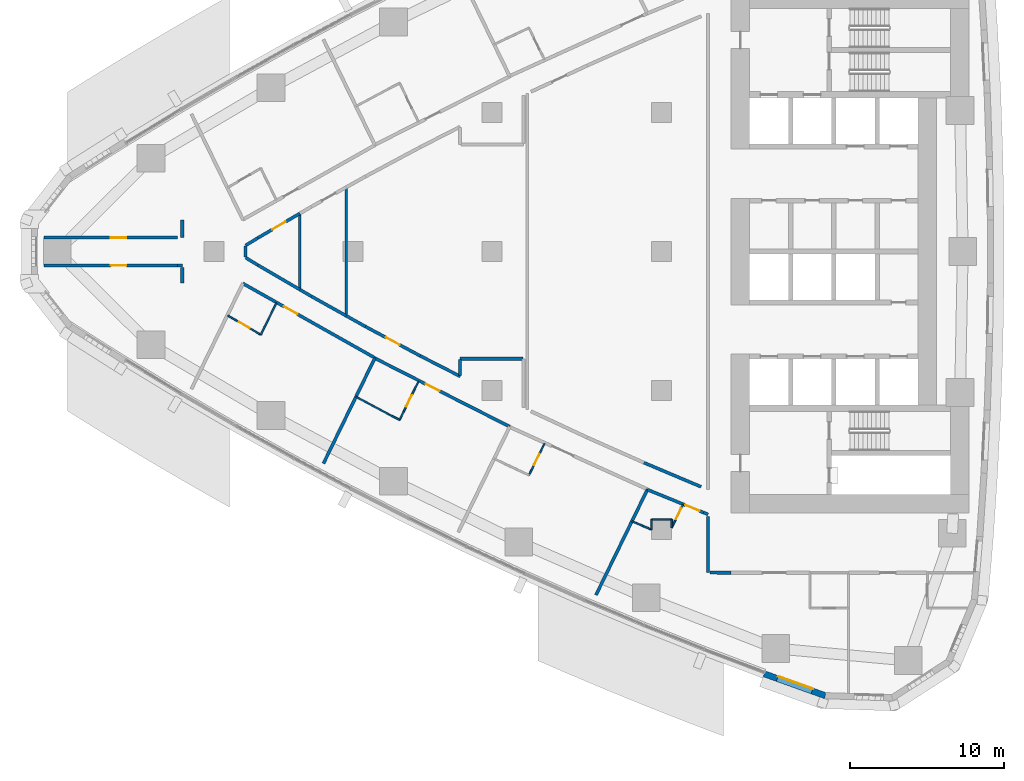
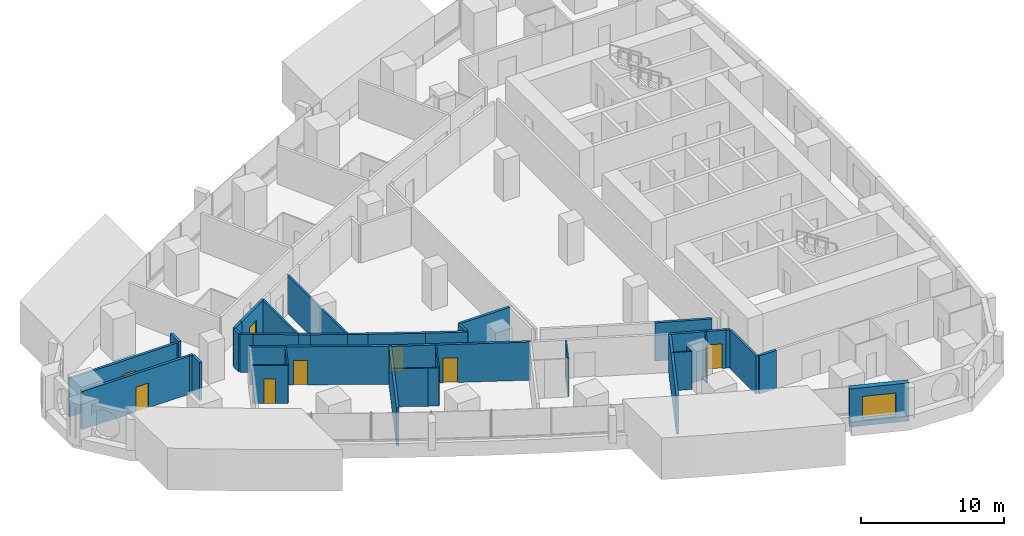
# One storey, part 9 of 19: 40 walls, 11 doors, 1 window, 12 openings.
"""IFC4 building model written with IfcOpenShell, lengths in metres."""

from ifc_helpers import new_model, si_unit, direction, frame, frame_2d, origin, place, context, subcontext, project, spatial, polyline, rectangle, outline, extrude, material, layer, layer_set, type_object, element, fill, save


model = new_model("IFC4")

# Units and contexts
model_context = context("Model", 3, precision=1e-05, world=origin(), true_north=direction((0.0, 1.0)))
body_context = subcontext(model_context, "Body", "Model", "MODEL_VIEW")
ifc_project = project(units=[si_unit("LENGTHUNIT", "METRE"), si_unit("AREAUNIT", "SQUARE_METRE"), si_unit("VOLUMEUNIT", "CUBIC_METRE"), si_unit("PLANEANGLEUNIT", "RADIAN"), si_unit("MASSUNIT", "GRAM", prefix="KILO")], contexts=[model_context])

# Site, building, storey
site_placement = place(None, origin())
site = spatial("IfcSite", under=ifc_project, at=site_placement, CompositionType="ELEMENT")
building_placement = place(site_placement, origin())
building = spatial("IfcBuilding", under=site, at=building_placement, Name="Ostrand Prow Hotel Tower", CompositionType="ELEMENT")
storey_placement = place(building_placement, frame((0.0, 0.0, 64.449951171875)))
storey = spatial("IfcBuildingStorey", under=building, at=storey_placement, Name="L14", CompositionType="ELEMENT", Elevation=64.449951171875)

# Wall
ifc_material_1 = material(Name="Plasterboard partition")
ifc_layer_1 = layer(ifc_material_1, 0.10009765625)
ifc_layer_set_1 = layer_set([ifc_layer_1], Name="Plasterboard partition")
wall_type_1 = type_object("IfcWallType", Name="Partition 100 bathroom wall", PredefinedType="PARTITIONING", material=ifc_layer_set_1)
wall_1_placement = place(storey_placement, frame((20.035400390625, -3.338134765625, 0.0), z_axis=(0.0, 0.0, 1.0), x_axis=(-0.438122322582, -0.898915363344, 0.0)))
element("IfcWall", 1, at=wall_1_placement, inside=storey, type_object=wall_type_1, Name="BATHROOM WALL", PredefinedType="PARTITIONING", context=body_context, shape_type="SweptSolid", body=[
    extrude(rectangle(XDim=2.282958984375, YDim=0.10009765625, at=frame_2d((1.1416015625, 0.0))), origin(), (0.0, 0.0, 1.0), 3.25),
])

# Wall, opening, door
wall_2_placement = place(storey_placement, frame((19.034912109375, -5.390380859375, 0.0), z_axis=(0.0, 0.0, 1.0), x_axis=(-0.863707305865, 0.503993739837, 0.0)))
wall_2 = element("IfcWall", 2, at=wall_2_placement, inside=storey, type_object=wall_type_1, Name="BATHROOM WALL", PredefinedType="PARTITIONING", context=body_context, shape_type="SweptSolid", body=[
    extrude(rectangle(XDim=2.473876953125, YDim=0.10009765625, at=frame_2d((1.23681640625, 0.0))), origin(), (0.0, 0.0, 1.0), 3.25),
])
opening_1_placement = place(wall_2_placement, frame((0.85009765625, 0.0, 0.0)))
opening_1 = element("IfcOpeningElement", 3, at=opening_1_placement, cuts=wall_2, Name="Opening D2", PredefinedType="OPENING", context=body_context, shape_type="SweptSolid", body=[
    extrude(rectangle(XDim=0.800048828125, YDim=2.10009765625, at=frame_2d((0.39990234375, 1.050048828125))), frame((0.0, 0.06005859375, 0.0), z_axis=(0.0, -1.0, 0.0), x_axis=(1.0, 0.0, 0.0)), (0.0, 0.0, 1.0), 0.1201171875),
])
ifc_material_2 = material(Name="Timber door leaf", Category="wood")
door_type_1 = type_object("IfcDoorType", Name="Bathroom door 800", OperationType="SINGLE_SWING_LEFT", PredefinedType="DOOR", material=ifc_material_2)
door_1_placement = place(opening_1_placement, origin())
door_1 = element("IfcDoor", 4, at=door_1_placement, inside=storey, type_object=door_type_1, Name="DOOR", OperationType="SINGLE_SWING_LEFT", OverallHeight=2.10009765625, OverallWidth=0.800048828125, PredefinedType="DOOR", context=body_context, shape_type="SweptSolid", body=[
    extrude(rectangle(XDim=0.800048828125, YDim=2.10009765625, at=frame_2d((0.39990234375, 1.050048828125))), frame((0.0, 0.02490234375, 0.0), z_axis=(0.0, -1.0, 0.0), x_axis=(1.0, 0.0, 0.0)), (0.0, 0.0, 1.0), 0.050048828125),
])
fill(opening_1, door_1)

wall_3_placement = place(storey_placement, frame((29.243896484375, -8.410888671875, 0.0), z_axis=(0.0, 0.0, 1.0), x_axis=(-0.438189818179, -0.898882463531, 0.0)))
wall_3 = element("IfcWall", 5, at=wall_3_placement, inside=storey, type_object=wall_type_1, Name="BATHROOM WALL", PredefinedType="PARTITIONING", context=body_context, shape_type="SweptSolid", body=[
    extrude(rectangle(XDim=2.77734375, YDim=0.10009765625, at=frame_2d((1.388671875, 0.0))), origin(), (0.0, 0.0, 1.0), 3.25),
])
opening_2_placement = place(wall_3_placement, frame((1.0, 0.0, 0.0)))
opening_2 = element("IfcOpeningElement", 6, at=opening_2_placement, cuts=wall_3, Name="Opening D2", PredefinedType="OPENING", context=body_context, shape_type="SweptSolid", body=[
    extrude(rectangle(XDim=0.800048828125, YDim=2.10009765625, at=frame_2d((0.39990234375, 1.050048828125))), frame((0.0, 0.06005859375, 0.0), z_axis=(0.0, -1.0, 0.0), x_axis=(1.0, 0.0, 0.0)), (0.0, 0.0, 1.0), 0.1201171875),
])
door_2_placement = place(opening_2_placement, origin())
door_2 = element("IfcDoor", 7, at=door_2_placement, inside=storey, type_object=door_type_1, Name="DOOR", OperationType="SINGLE_SWING_LEFT", OverallHeight=2.10009765625, OverallWidth=0.800048828125, PredefinedType="DOOR", context=body_context, shape_type="SweptSolid", body=[
    extrude(rectangle(XDim=0.800048828125, YDim=2.10009765625, at=frame_2d((0.39990234375, 1.050048828125))), frame((0.0, 0.02490234375, 0.0), z_axis=(0.0, -1.0, 0.0), x_axis=(1.0, 0.0, 0.0)), (0.0, 0.0, 1.0), 0.050048828125),
])
fill(opening_2, door_2)

# Walls
wall_4_placement = place(storey_placement, frame((28.02685546875, -10.907470703125, 0.0), z_axis=(0.0, 0.0, 1.0), x_axis=(-0.890195653003, 0.455578422858, 0.0)))
element("IfcWall", 8, at=wall_4_placement, inside=storey, type_object=wall_type_1, Name="BATHROOM WALL", PredefinedType="PARTITIONING", context=body_context, shape_type="SweptSolid", body=[
    extrude(rectangle(XDim=0.745361328125, YDim=0.10009765625, at=frame_2d((0.37255859375, 0.0))), origin(), (0.0, 0.0, 1.0), 3.25),
])
wall_5_placement = place(storey_placement, frame((27.36328125, -10.56787109375, 0.0), z_axis=(0.0, 0.0, 1.0), x_axis=(-0.881658684569, 0.471887660279, 0.0)))
element("IfcWall", 9, at=wall_5_placement, inside=storey, type_object=wall_type_1, Name="BATHROOM WALL", PredefinedType="PARTITIONING", context=body_context, shape_type="SweptSolid", body=[
    extrude(rectangle(XDim=2.45654296875, YDim=0.10009765625, at=frame_2d((1.228271484375, 0.0))), origin(), (0.0, 0.0, 1.0), 3.25),
])

# Wall, opening, door
wall_6_placement = place(storey_placement, frame((37.406005859375, -12.43505859375, 0.0), z_axis=(0.0, 0.0, 1.0), x_axis=(-0.438271544149, -0.898842618921, 0.0)))
wall_6 = element("IfcWall", 10, at=wall_6_placement, inside=storey, type_object=wall_type_1, Name="BATHROOM WALL", PredefinedType="PARTITIONING", context=body_context, shape_type="SweptSolid", body=[
    extrude(rectangle(XDim=2.27734375, YDim=0.10009765625, at=frame_2d((1.138671875, 0.0))), origin(), (0.0, 0.0, 1.0), 3.25),
])
opening_3_placement = place(wall_6_placement, frame((0.75, 0.0, 0.0)))
opening_3 = element("IfcOpeningElement", 11, at=opening_3_placement, cuts=wall_6, Name="Opening D2", PredefinedType="OPENING", context=body_context, shape_type="SweptSolid", body=[
    extrude(rectangle(XDim=0.800048828125, YDim=2.10009765625, at=frame_2d((0.39990234375, 1.050048828125))), frame((0.0, 0.06005859375, 0.0), z_axis=(0.0, -1.0, 0.0), x_axis=(1.0, 0.0, 0.0)), (0.0, 0.0, 1.0), 0.1201171875),
])
door_3_placement = place(opening_3_placement, origin())
door_3 = element("IfcDoor", 12, at=door_3_placement, inside=storey, type_object=door_type_1, Name="DOOR", OperationType="SINGLE_SWING_LEFT", OverallHeight=2.10009765625, OverallWidth=0.800048828125, PredefinedType="DOOR", context=body_context, shape_type="SweptSolid", body=[
    extrude(rectangle(XDim=0.800048828125, YDim=2.10009765625, at=frame_2d((0.39990234375, 1.050048828125))), frame((0.0, 0.02490234375, 0.0), z_axis=(0.0, -1.0, 0.0), x_axis=(1.0, 0.0, 0.0)), (0.0, 0.0, 1.0), 0.050048828125),
])
fill(opening_3, door_3)

wall_7_placement = place(storey_placement, frame((46.376953125, -16.39697265625, 0.0), z_axis=(0.0, 0.0, 1.0), x_axis=(-0.438301838547, -0.89882784688, 0.0)))
wall_7 = element("IfcWall", 13, at=wall_7_placement, inside=storey, type_object=wall_type_1, Name="BATHROOM WALL", PredefinedType="PARTITIONING", context=body_context, shape_type="SweptSolid", body=[
    extrude(rectangle(XDim=1.65869140625, YDim=0.10009765625, at=frame_2d((0.829345703125, 0.0))), origin(), (0.0, 0.0, 1.0), 3.25),
])
opening_4_placement = place(wall_7_placement, frame((0.25, 0.0, 0.0)))
opening_4 = element("IfcOpeningElement", 14, at=opening_4_placement, cuts=wall_7, Name="Opening D2", PredefinedType="OPENING", context=body_context, shape_type="SweptSolid", body=[
    extrude(rectangle(XDim=0.800048828125, YDim=2.10009765625, at=frame_2d((0.39990234375, 1.050048828125))), frame((0.0, 0.06005859375, 0.0), z_axis=(0.0, -1.0, 0.0), x_axis=(1.0, 0.0, 0.0)), (0.0, 0.0, 1.0), 0.1201171875),
])
door_4_placement = place(opening_4_placement, origin())
door_4 = element("IfcDoor", 15, at=door_4_placement, inside=storey, type_object=door_type_1, Name="DOOR", OperationType="SINGLE_SWING_LEFT", OverallHeight=2.10009765625, OverallWidth=0.800048828125, PredefinedType="DOOR", context=body_context, shape_type="SweptSolid", body=[
    extrude(rectangle(XDim=0.800048828125, YDim=2.10009765625, at=frame_2d((0.39990234375, 1.050048828125))), frame((0.0, 0.02490234375, 0.0), z_axis=(0.0, -1.0, 0.0), x_axis=(1.0, 0.0, 0.0)), (0.0, 0.0, 1.0), 0.050048828125),
])
fill(opening_4, door_4)

# Walls
wall_8_placement = place(storey_placement, frame((45.64990234375, -17.887939453125, 0.0), z_axis=(0.0, 0.0, 1.0), x_axis=(0.0, 1.0, 0.0)))
element("IfcWall", 16, at=wall_8_placement, inside=storey, type_object=wall_type_1, Name="BATHROOM WALL", PredefinedType="PARTITIONING", context=body_context, shape_type="SweptSolid", body=[
    extrude(rectangle(XDim=0.535888671875, YDim=0.10009765625, at=frame_2d((0.26806640625, 0.0))), origin(), (0.0, 0.0, 1.0), 3.25),
])
wall_9_placement = place(storey_placement, frame((45.64794921875, -17.35009765625, 0.0), z_axis=(0.0, 0.0, 1.0), x_axis=(-1.0, 0.0, 0.0)))
element("IfcWall", 17, at=wall_9_placement, inside=storey, type_object=wall_type_1, Name="BATHROOM WALL", PredefinedType="PARTITIONING", context=body_context, shape_type="SweptSolid", body=[
    extrude(rectangle(XDim=1.2958984375, YDim=0.10009765625, at=frame_2d((0.64794921875, 0.0))), origin(), (0.0, 0.0, 1.0), 3.25),
])
wall_10_placement = place(storey_placement, frame((44.35009765625, -17.35205078125, 0.0), z_axis=(0.0, 0.0, 1.0), x_axis=(0.0, -1.0, 0.0)))
element("IfcWall", 18, at=wall_10_placement, inside=storey, type_object=wall_type_1, Name="BATHROOM WALL", PredefinedType="PARTITIONING", context=body_context, shape_type="SweptSolid", body=[
    extrude(rectangle(XDim=0.660888671875, YDim=0.10009765625, at=frame_2d((0.33056640625, 0.0))), origin(), (0.0, 0.0, 1.0), 3.25),
])
wall_11_placement = place(storey_placement, frame((44.35009765625, -18.012939453125, 0.0), z_axis=(0.0, 0.0, 1.0), x_axis=(-0.921313965742, 0.388819465214, 0.0)))
element("IfcWall", 19, at=wall_11_placement, inside=storey, type_object=wall_type_1, Name="BATHROOM WALL", PredefinedType="PARTITIONING", context=body_context, shape_type="SweptSolid", body=[
    extrude(rectangle(XDim=1.38818359375, YDim=0.10009765625, at=frame_2d((0.694091796875, 0.0))), origin(), (0.0, 0.0, 1.0), 3.25),
])
ifc_material_3 = material(Name="Plasterboard partition")
ifc_layer_2 = layer(ifc_material_3, 0.14990234375)
ifc_layer_set_2 = layer_set([ifc_layer_2], Name="Plasterboard partition")
wall_type_2 = type_object("IfcWallType", Name="Partition 150 room partition", PredefinedType="PARTITIONING", material=ifc_layer_set_2)
wall_12_placement = place(storey_placement, frame((21.565185546875, -2.46728515625, 0.0), z_axis=(0.0, 0.0, 1.0), x_axis=(0.0, 1.0, 0.0)))
element("IfcWall", 20, at=wall_12_placement, inside=storey, type_object=wall_type_2, Name="ROOM PARTITION", PredefinedType="PARTITIONING", context=body_context, shape_type="SweptSolid", body=[
    extrude(rectangle(XDim=4.9345703125, YDim=0.14990234375, at=frame_2d((2.46728515625, 0.0))), origin(), (0.0, 0.0, 1.0), 3.25),
])
wall_13_placement = place(storey_placement, frame((24.565185546875, -4.1630859375, 0.0), z_axis=(0.0, 0.0, 1.0), x_axis=(0.0, 1.0, 0.0)))
element("IfcWall", 21, at=wall_13_placement, inside=storey, type_object=wall_type_2, Name="ROOM PARTITION", PredefinedType="PARTITIONING", context=body_context, shape_type="SweptSolid", body=[
    extrude(rectangle(XDim=8.326171875, YDim=0.14990234375, at=frame_2d((4.1630859375, 0.0))), origin(), (0.0, 0.0, 1.0), 3.25),
])

# Wall, opening, door
ifc_material_4 = material(Name="Plasterboard partition")
ifc_layer_3 = layer(ifc_material_4, 0.199951171875)
ifc_layer_set_3 = layer_set([ifc_layer_3], Name="Plasterboard partition")
wall_type_3 = type_object("IfcWallType", Name="Partition 200 corridor wall", PredefinedType="PARTITIONING", material=ifc_layer_set_3)
wall_14_placement = place(storey_placement, frame((17.87353515625, -2.068115234375, 0.0), z_axis=(0.0, 0.0, 1.0), x_axis=(0.871078318876, -0.491144136057, 0.0)))
wall_14 = element("IfcWall", 22, at=wall_14_placement, inside=storey, type_object=wall_type_3, Name="CORRIDOR WALL", PredefinedType="PARTITIONING", context=body_context, shape_type="SweptSolid", body=[
    extrude(rectangle(XDim=9.8173828125, YDim=0.199951171875, at=frame_2d((4.90869140625, 0.0))), origin(), (0.0, 0.0, 1.0), 3.25),
])
opening_5_placement = place(wall_14_placement, frame((3.050048828125, 0.0, 0.0)))
opening_5 = element("IfcOpeningElement", 23, at=opening_5_placement, cuts=wall_14, Name="Opening D1R", PredefinedType="OPENING", context=body_context, shape_type="SweptSolid", body=[
    extrude(rectangle(XDim=1.0, YDim=2.10009765625, at=frame_2d((0.5, 1.050048828125))), frame((0.0, 0.10986328125, 0.0), z_axis=(0.0, -1.0, 0.0), x_axis=(1.0, 0.0, 0.0)), (0.0, 0.0, 1.0), 0.219970703125),
])
ifc_material_5 = material(Name="Timber door leaf", Category="wood")
door_type_2 = type_object("IfcDoorType", Name="Guest room door 1000 right", OperationType="SINGLE_SWING_RIGHT", PredefinedType="DOOR", material=ifc_material_5)
door_5_placement = place(opening_5_placement, origin())
door_5 = element("IfcDoor", 24, at=door_5_placement, inside=storey, type_object=door_type_2, Name="DOOR", OperationType="SINGLE_SWING_RIGHT", OverallHeight=2.10009765625, OverallWidth=1.0, PredefinedType="DOOR", context=body_context, shape_type="SweptSolid", body=[
    extrude(rectangle(XDim=1.0, YDim=2.10009765625, at=frame_2d((0.5, 1.050048828125))), frame((0.0, 0.02490234375, 0.0), z_axis=(0.0, -1.0, 0.0), x_axis=(1.0, 0.0, 0.0)), (0.0, 0.0, 1.0), 0.050048828125),
])
fill(opening_5, door_5)

wall_15_placement = place(storey_placement, frame((26.41650390625, -6.907958984375, 0.0), z_axis=(0.0, 0.0, 1.0), x_axis=(0.891700643128, -0.452625632334, 0.0)))
wall_15 = element("IfcWall", 25, at=wall_15_placement, inside=storey, type_object=wall_type_3, Name="CORRIDOR WALL", PredefinedType="PARTITIONING", context=body_context, shape_type="SweptSolid", body=[
    extrude(rectangle(XDim=9.80126953125, YDim=0.199951171875, at=frame_2d((4.900634765625, 0.0))), origin(), (0.0, 0.0, 1.0), 3.25),
])
opening_6_placement = place(wall_15_placement, frame((3.699951171875, 0.0, 0.0)))
opening_6 = element("IfcOpeningElement", 26, at=opening_6_placement, cuts=wall_15, Name="Opening D1R", PredefinedType="OPENING", context=body_context, shape_type="SweptSolid", body=[
    extrude(rectangle(XDim=1.0, YDim=2.10009765625, at=frame_2d((0.5, 1.050048828125))), frame((0.0, 0.10986328125, 0.0), z_axis=(0.0, -1.0, 0.0), x_axis=(1.0, 0.0, 0.0)), (0.0, 0.0, 1.0), 0.219970703125),
])
door_6_placement = place(opening_6_placement, origin())
door_6 = element("IfcDoor", 27, at=door_6_placement, inside=storey, type_object=door_type_2, Name="DOOR", OperationType="SINGLE_SWING_RIGHT", OverallHeight=2.10009765625, OverallWidth=1.0, PredefinedType="DOOR", context=body_context, shape_type="SweptSolid", body=[
    extrude(rectangle(XDim=1.0, YDim=2.10009765625, at=frame_2d((0.5, 1.050048828125))), frame((0.0, 0.02490234375, 0.0), z_axis=(0.0, -1.0, 0.0), x_axis=(1.0, 0.0, 0.0)), (0.0, 0.0, 1.0), 0.050048828125),
])
fill(opening_6, door_6)

wall_16_placement = place(storey_placement, frame((18.843505859375, 0.879150390625, 0.0), z_axis=(0.0, 0.0, 1.0), x_axis=(0.86371145221, 0.503986634071, 0.0)))
wall_16 = element("IfcWall", 28, at=wall_16_placement, inside=storey, type_object=wall_type_3, Name="CORRIDOR WALL", PredefinedType="PARTITIONING", context=body_context, shape_type="SweptSolid", body=[
    extrude(rectangle(XDim=3.151123046875, YDim=0.199951171875, at=frame_2d((1.57568359375, 0.0))), origin(), (0.0, 0.0, 1.0), 3.25),
])
opening_7_placement = place(wall_16_placement, frame((1.07568359375, 0.0, 0.0)))
opening_7 = element("IfcOpeningElement", 29, at=opening_7_placement, cuts=wall_16, Name="Opening D1", PredefinedType="OPENING", context=body_context, shape_type="SweptSolid", body=[
    extrude(rectangle(XDim=1.0, YDim=2.10009765625, at=frame_2d((0.5, 1.050048828125))), frame((0.0, 0.10986328125, 0.0), z_axis=(0.0, -1.0, 0.0), x_axis=(1.0, 0.0, 0.0)), (0.0, 0.0, 1.0), 0.219970703125),
])
ifc_material_6 = material(Name="Timber door leaf", Category="wood")
door_type_3 = type_object("IfcDoorType", Name="Guest room door 1000", OperationType="SINGLE_SWING_LEFT", PredefinedType="DOOR", material=ifc_material_6)
door_7_placement = place(opening_7_placement, origin())
door_7 = element("IfcDoor", 30, at=door_7_placement, inside=storey, type_object=door_type_3, Name="DOOR", OperationType="SINGLE_SWING_LEFT", OverallHeight=2.10009765625, OverallWidth=1.0, PredefinedType="DOOR", context=body_context, shape_type="SweptSolid", body=[
    extrude(rectangle(XDim=1.0, YDim=2.10009765625, at=frame_2d((0.5, 1.050048828125))), frame((0.0, 0.02490234375, 0.0), z_axis=(0.0, -1.0, 0.0), x_axis=(1.0, 0.0, 0.0)), (0.0, 0.0, 1.0), 0.050048828125),
])
fill(opening_7, door_7)

# Walls
for number, where, z_axis, x_axis, name in (
    (31, (18.843505859375, -0.879150390625, 0.0), (0.0, 0.0, 1.0), (-0.8542290073, 0.519896915828, 0.0), "CORRIDOR WALL"),
    (32, (18.050048828125, 0.396240234375, 0.0), (0.0, 0.0, 1.0), (0.8542290073, 0.519896915828, 0.0), "CORRIDOR WALL"),
):
    element("IfcWall", number, at=place(storey_placement, frame(where, z_axis=z_axis, x_axis=x_axis)), inside=storey, type_object=wall_type_3, Name=name, PredefinedType="PARTITIONING", context=body_context, shape_type="SweptSolid", body=[
        extrude(rectangle(XDim=0.928955078125, YDim=0.199951171875, at=frame_2d((0.46435546875, 0.0))), origin(), (0.0, 0.0, 1.0), 3.25),
    ])
wall_17_placement = place(storey_placement, frame((21.565185546875, -2.46728515625, 0.0), z_axis=(0.0, 0.0, 1.0), x_axis=(-0.86371145221, 0.503986634071, 0.0)))
element("IfcWall", 33, at=wall_17_placement, inside=storey, type_object=wall_type_3, Name="CORRIDOR WALL", PredefinedType="PARTITIONING", context=body_context, shape_type="SweptSolid", body=[
    extrude(rectangle(XDim=3.151123046875, YDim=0.199951171875, at=frame_2d((1.57568359375, 0.0))), origin(), (0.0, 0.0, 1.0), 3.25),
])
wall_18_placement = place(storey_placement, frame((22.31201171875, -2.903076171875, 0.0), z_axis=(0.0, 0.0, 1.0), x_axis=(-0.863707207562, 0.503993908303, 0.0)))
element("IfcWall", 34, at=wall_18_placement, inside=storey, type_object=wall_type_3, Name="CORRIDOR WALL", PredefinedType="PARTITIONING", context=body_context, shape_type="SweptSolid", body=[
    extrude(rectangle(XDim=0.86474609375, YDim=0.199951171875, at=frame_2d((0.432373046875, 0.0))), origin(), (0.0, 0.0, 1.0), 3.25),
])
wall_19_placement = place(storey_placement, frame((24.565185546875, -4.1630859375, 0.0), z_axis=(0.0, 0.0, 1.0), x_axis=(-0.872797752414, 0.488082045748, 0.0)))
element("IfcWall", 35, at=wall_19_placement, inside=storey, type_object=wall_type_3, Name="CORRIDOR WALL", PredefinedType="PARTITIONING", context=body_context, shape_type="SweptSolid", body=[
    extrude(rectangle(XDim=2.58154296875, YDim=0.199951171875, at=frame_2d((1.290771484375, 0.0))), origin(), (0.0, 0.0, 1.0), 3.25),
])

# Wall, opening, door
wall_20_placement = place(storey_placement, frame((29.357421875, -6.758056640625, 0.0), z_axis=(0.0, 0.0, 1.0), x_axis=(-0.881655245922, 0.471894084874, 0.0)))
wall_20 = element("IfcWall", 36, at=wall_20_placement, inside=storey, type_object=wall_type_3, Name="CORRIDOR WALL", PredefinedType="PARTITIONING", context=body_context, shape_type="SweptSolid", body=[
    extrude(rectangle(XDim=4.015869140625, YDim=0.199951171875, at=frame_2d((2.0078125, 0.0))), origin(), (0.0, 0.0, 1.0), 3.25),
])
opening_8_placement = place(wall_20_placement, frame((1.5078125, 0.0, 0.0)))
opening_8 = element("IfcOpeningElement", 37, at=opening_8_placement, cuts=wall_20, Name="Opening D1", PredefinedType="OPENING", context=body_context, shape_type="SweptSolid", body=[
    extrude(rectangle(XDim=1.0, YDim=2.10009765625, at=frame_2d((0.5, 1.050048828125))), frame((0.0, 0.10986328125, 0.0), z_axis=(0.0, -1.0, 0.0), x_axis=(1.0, 0.0, 0.0)), (0.0, 0.0, 1.0), 0.219970703125),
])
door_8_placement = place(opening_8_placement, origin())
door_8 = element("IfcDoor", 38, at=door_8_placement, inside=storey, type_object=door_type_3, Name="DOOR", OperationType="SINGLE_SWING_LEFT", OverallHeight=2.10009765625, OverallWidth=1.0, PredefinedType="DOOR", context=body_context, shape_type="SweptSolid", body=[
    extrude(rectangle(XDim=1.0, YDim=2.10009765625, at=frame_2d((0.5, 1.050048828125))), frame((0.0, 0.02490234375, 0.0), z_axis=(0.0, -1.0, 0.0), x_axis=(1.0, 0.0, 0.0)), (0.0, 0.0, 1.0), 0.050048828125),
])
fill(opening_8, door_8)

# Walls
wall_21_placement = place(storey_placement, frame((31.949951171875, -8.084716796875, 0.0), z_axis=(0.0, 0.0, 1.0), x_axis=(-0.890213377055, 0.455543788579, 0.0)))
element("IfcWall", 39, at=wall_21_placement, inside=storey, type_object=wall_type_3, Name="CORRIDOR WALL", PredefinedType="PARTITIONING", context=body_context, shape_type="SweptSolid", body=[
    extrude(rectangle(XDim=2.912353515625, YDim=0.199951171875, at=frame_2d((1.4560546875, 0.0))), origin(), (0.0, 0.0, 1.0), 3.25),
])
wall_22_placement = place(storey_placement, frame((25.81689453125, -4.863037109375, 0.0), z_axis=(0.0, 0.0, 1.0), x_axis=(-0.872804855849, 0.488069343031, 0.0)))
element("IfcWall", 40, at=wall_22_placement, inside=storey, type_object=wall_type_3, Name="CORRIDOR WALL", PredefinedType="PARTITIONING", context=body_context, shape_type="SweptSolid", body=[
    extrude(rectangle(XDim=1.43408203125, YDim=0.199951171875, at=frame_2d((0.717041015625, 0.0))), origin(), (0.0, 0.0, 1.0), 3.25),
])
wall_23_placement = place(storey_placement, frame((47.549560546875, -15.239013671875, 0.0), z_axis=(0.0, 0.0, 1.0), x_axis=(-0.921269894054, 0.388923877269, 0.0)))
element("IfcWall", 41, at=wall_23_placement, inside=storey, type_object=wall_type_3, Name="CORRIDOR WALL", PredefinedType="PARTITIONING", context=body_context, shape_type="SweptSolid", body=[
    extrude(rectangle(XDim=4.015625, YDim=0.199951171875, at=frame_2d((2.0078125, 0.0))), origin(), (0.0, 0.0, 1.0), 3.25),
])

# Wall, opening, door
wall_24_placement = place(storey_placement, frame((4.977294921875, 0.89990234375, 0.0), z_axis=(0.0, 0.0, 1.0), x_axis=(1.0, 0.0, 0.0)))
wall_24 = element("IfcWall", 42, at=wall_24_placement, inside=storey, type_object=wall_type_3, Name="CORRIDOR WALL", PredefinedType="PARTITIONING", context=body_context, shape_type="SweptSolid", body=[
    extrude(rectangle(XDim=8.672607421875, YDim=0.199951171875, at=frame_2d((4.33642578125, 0.0))), origin(), (0.0, 0.0, 1.0), 3.25),
])
opening_9_placement = place(wall_24_placement, frame((4.344970703125, 0.0, 0.0)))
opening_9 = element("IfcOpeningElement", 43, at=opening_9_placement, cuts=wall_24, Name="Opening D1", PredefinedType="OPENING", context=body_context, shape_type="SweptSolid", body=[
    extrude(rectangle(XDim=1.0, YDim=2.10009765625, at=frame_2d((0.5, 1.050048828125))), frame((0.0, 0.10986328125, 0.0), z_axis=(0.0, -1.0, 0.0), x_axis=(1.0, 0.0, 0.0)), (0.0, 0.0, 1.0), 0.219970703125),
])
door_9_placement = place(opening_9_placement, origin())
door_9 = element("IfcDoor", 44, at=door_9_placement, inside=storey, type_object=door_type_3, Name="DOOR", OperationType="SINGLE_SWING_LEFT", OverallHeight=2.10009765625, OverallWidth=1.0, PredefinedType="DOOR", context=body_context, shape_type="SweptSolid", body=[
    extrude(rectangle(XDim=1.0, YDim=2.10009765625, at=frame_2d((0.5, 1.050048828125))), frame((0.0, 0.02490234375, 0.0), z_axis=(0.0, -1.0, 0.0), x_axis=(1.0, 0.0, 0.0)), (0.0, 0.0, 1.0), 0.050048828125),
])
fill(opening_9, door_9)

wall_25_placement = place(storey_placement, frame((4.977294921875, -0.89990234375, 0.0), z_axis=(0.0, 0.0, 1.0), x_axis=(1.0, 0.0, 0.0)))
wall_25 = element("IfcWall", 45, at=wall_25_placement, inside=storey, type_object=wall_type_3, Name="CORRIDOR WALL", PredefinedType="PARTITIONING", context=body_context, shape_type="SweptSolid", body=[
    extrude(rectangle(XDim=8.672607421875, YDim=0.199951171875, at=frame_2d((4.33642578125, 0.0))), origin(), (0.0, 0.0, 1.0), 3.25),
])
opening_10_placement = place(wall_25_placement, frame((4.344970703125, 0.0, 0.0)))
opening_10 = element("IfcOpeningElement", 46, at=opening_10_placement, cuts=wall_25, Name="Opening D1R", PredefinedType="OPENING", context=body_context, shape_type="SweptSolid", body=[
    extrude(rectangle(XDim=1.0, YDim=2.10009765625, at=frame_2d((0.5, 1.050048828125))), frame((0.0, 0.10986328125, 0.0), z_axis=(0.0, -1.0, 0.0), x_axis=(1.0, 0.0, 0.0)), (0.0, 0.0, 1.0), 0.219970703125),
])
door_10_placement = place(opening_10_placement, origin())
door_10 = element("IfcDoor", 47, at=door_10_placement, inside=storey, type_object=door_type_2, Name="DOOR", OperationType="SINGLE_SWING_RIGHT", OverallHeight=2.10009765625, OverallWidth=1.0, PredefinedType="DOOR", context=body_context, shape_type="SweptSolid", body=[
    extrude(rectangle(XDim=1.0, YDim=2.10009765625, at=frame_2d((0.5, 1.050048828125))), frame((0.0, 0.02490234375, 0.0), z_axis=(0.0, -1.0, 0.0), x_axis=(1.0, 0.0, 0.0)), (0.0, 0.0, 1.0), 0.050048828125),
])
fill(opening_10, door_10)

wall_26_placement = place(storey_placement, frame((44.071533203125, -15.420654296875, 0.0), z_axis=(0.0, 0.0, 1.0), x_axis=(0.925861862022, -0.377862160653, 0.0)))
wall_26 = element("IfcWall", 48, at=wall_26_placement, inside=storey, type_object=wall_type_3, Name="CORRIDOR WALL", PredefinedType="PARTITIONING", context=body_context, shape_type="SweptSolid", body=[
    extrude(rectangle(XDim=3.923095703125, YDim=0.199951171875, at=frame_2d((1.96142578125, 0.0))), origin(), (0.0, 0.0, 1.0), 3.25),
])
opening_11_placement = place(wall_26_placement, frame((2.64990234375, 0.0, 0.0)))
opening_11 = element("IfcOpeningElement", 49, at=opening_11_placement, cuts=wall_26, Name="Opening D1R", PredefinedType="OPENING", context=body_context, shape_type="SweptSolid", body=[
    extrude(rectangle(XDim=1.0, YDim=2.10009765625, at=frame_2d((0.5, 1.050048828125))), frame((0.0, 0.10986328125, 0.0), z_axis=(0.0, -1.0, 0.0), x_axis=(1.0, 0.0, 0.0)), (0.0, 0.0, 1.0), 0.219970703125),
])
door_11_placement = place(opening_11_placement, origin())
door_11 = element("IfcDoor", 50, at=door_11_placement, inside=storey, type_object=door_type_2, Name="DOOR", OperationType="SINGLE_SWING_RIGHT", OverallHeight=2.10009765625, OverallWidth=1.0, PredefinedType="DOOR", context=body_context, shape_type="SweptSolid", body=[
    extrude(rectangle(XDim=1.0, YDim=2.10009765625, at=frame_2d((0.5, 1.050048828125))), frame((0.0, 0.02490234375, 0.0), z_axis=(0.0, -1.0, 0.0), x_axis=(1.0, 0.0, 0.0)), (0.0, 0.0, 1.0), 0.050048828125),
])
fill(opening_11, door_11)

# Walls
wall_27_placement = place(storey_placement, frame((18.054931640625, -0.356689453125, 0.0), z_axis=(0.0, 0.0, 1.0), x_axis=(0.0, 1.0, 0.0)))
element("IfcWall", 51, at=wall_27_placement, inside=storey, type_object=wall_type_3, Name="CORRIDOR WALL", PredefinedType="PARTITIONING", context=body_context, shape_type="SweptSolid", body=[
    extrude(rectangle(XDim=0.71337890625, YDim=0.199951171875, at=frame_2d((0.356689453125, 0.0))), origin(), (0.0, 0.0, 1.0), 3.25),
])
wall_28_placement = place(storey_placement, frame((36.012451171875, -6.945556640625, 0.0), z_axis=(0.0, 0.0, 1.0), x_axis=(-0.999999998196, 6.0074492e-05, 0.0)))
element("IfcWall", 52, at=wall_28_placement, inside=storey, type_object=wall_type_3, Name="CORRIDOR WALL", PredefinedType="PARTITIONING", context=body_context, shape_type="SweptSolid", body=[
    extrude(rectangle(XDim=4.06396484375, YDim=0.199951171875, at=frame_2d((2.031982421875, 0.0))), origin(), (0.0, 0.0, 1.0), 3.25),
])
wall_29_placement = place(storey_placement, frame((31.948486328125, -6.985107421875, 0.0), z_axis=(0.0, 0.0, 1.0), x_axis=(-0.003248242724, -0.999994724446, 0.0)))
element("IfcWall", 53, at=wall_29_placement, inside=storey, type_object=wall_type_3, Name="CORRIDOR WALL", PredefinedType="PARTITIONING", context=body_context, shape_type="SweptSolid", body=[
    extrude(rectangle(XDim=1.05224609375, YDim=0.199951171875, at=frame_2d((0.526123046875, 0.0))), origin(), (0.0, 0.0, 1.0), 3.25),
])
wall_30_placement = place(storey_placement, frame((13.945556640625, 2.052490234375, 0.0), z_axis=(0.0, 0.0, 1.0), x_axis=(-0.000423818568, -0.999999910189, 0.0)))
element("IfcWall", 54, at=wall_30_placement, inside=storey, type_object=wall_type_3, Name="CORRIDOR WALL", PredefinedType="PARTITIONING", context=body_context, shape_type="SweptSolid", body=[
    extrude(rectangle(XDim=1.152099609375, YDim=0.199951171875, at=frame_2d((0.576171875, 0.0))), origin(), (0.0, 0.0, 1.0), 3.25),
])
wall_31_placement = place(storey_placement, frame((13.64990234375, -0.89990234375, 0.0), z_axis=(0.0, 0.0, 1.0), x_axis=(0.99999876, -0.001574801197, 0.0)))
element("IfcWall", 55, at=wall_31_placement, inside=storey, type_object=wall_type_3, Name="CORRIDOR WALL", PredefinedType="PARTITIONING", context=body_context, shape_type="SweptSolid", body=[
    extrude(rectangle(XDim=0.31005859375, YDim=0.199951171875, at=frame_2d((0.155029296875, 0.0))), origin(), (0.0, 0.0, 1.0), 3.25),
])
wall_32_placement = place(storey_placement, frame((13.945068359375, -1.0205078125, 0.0), z_axis=(0.0, 0.0, 1.0), x_axis=(0.000473148752, -0.999999888065, 0.0)))
element("IfcWall", 56, at=wall_32_placement, inside=storey, type_object=wall_type_3, Name="CORRIDOR WALL", PredefinedType="PARTITIONING", context=body_context, shape_type="SweptSolid", body=[
    extrude(rectangle(XDim=1.031982421875, YDim=0.199951171875, at=frame_2d((0.51611328125, 0.0))), origin(), (0.0, 0.0, 1.0), 3.25),
])
wall_33_placement = place(storey_placement, frame((47.703857421875, -16.903076171875, 0.0), z_axis=(0.0, 0.0, 1.0), x_axis=(0.919891741777, -0.392172389913, 0.0)))
element("IfcWall", 57, at=wall_33_placement, inside=storey, type_object=wall_type_3, Name="CORRIDOR WALL", PredefinedType="PARTITIONING", context=body_context, shape_type="SweptSolid", body=[
    extrude(rectangle(XDim=0.320556640625, YDim=0.199951171875, at=frame_2d((0.16015625, 0.0))), origin(), (0.0, 0.0, 1.0), 3.25),
])
wall_34_placement = place(storey_placement, frame((47.99853515625, -17.148681640625, 0.0), z_axis=(0.0, 0.0, 1.0), x_axis=(-0.000868751343, -0.999999622635, 0.0)))
element("IfcWall", 58, at=wall_34_placement, inside=storey, type_object=wall_type_3, Name="CORRIDOR WALL", PredefinedType="PARTITIONING", context=body_context, shape_type="SweptSolid", body=[
    extrude(rectangle(XDim=3.6533203125, YDim=0.199951171875, at=frame_2d((1.82666015625, 0.0))), origin(), (0.0, 0.0, 1.0), 3.25),
])
wall_35_placement = place(storey_placement, frame((48.115478515625, -20.802001953125, 0.0), z_axis=(0.0, 0.0, 1.0), x_axis=(0.999997761218, -0.002116024182, 0.0)))
element("IfcWall", 59, at=wall_35_placement, inside=storey, type_object=wall_type_3, Name="CORRIDOR WALL", PredefinedType="PARTITIONING", context=body_context, shape_type="SweptSolid", body=[
    extrude(rectangle(XDim=1.384521484375, YDim=0.199951171875, at=frame_2d((0.6923828125, 0.0))), origin(), (0.0, 0.0, 1.0), 3.25),
])
ifc_material_7 = material(Name="Plasterboard partition")
ifc_layer_4 = layer(ifc_material_7, 0.199951171875)
ifc_layer_set_4 = layer_set([ifc_layer_4], Name="Plasterboard partition")
wall_type_4 = type_object("IfcWallType", Name="Partition 200 key partition", PredefinedType="PARTITIONING", material=ifc_layer_set_4)
wall_36_placement = place(storey_placement, frame((23.092529296875, -13.726318359375, 0.0), z_axis=(0.0, 0.0, 1.0), x_axis=(0.438202895602, 0.898876088394, 0.0)))
element("IfcWall", 60, at=wall_36_placement, inside=storey, type_object=wall_type_4, Name="KEY PARTITION", PredefinedType="PARTITIONING", context=body_context, shape_type="SweptSolid", body=[
    extrude(rectangle(XDim=7.60546875, YDim=0.199951171875, at=frame_2d((3.802734375, 0.0))), origin(), (0.0, 0.0, 1.0), 3.25),
])
wall_37_placement = place(storey_placement, frame((40.7451171875, -22.244140625, 0.0), z_axis=(0.0, 0.0, 1.0), x_axis=(0.438196739796, 0.898879089328, 0.0)))
element("IfcWall", 61, at=wall_37_placement, inside=storey, type_object=wall_type_4, Name="KEY PARTITION", PredefinedType="PARTITIONING", context=body_context, shape_type="SweptSolid", body=[
    extrude(rectangle(XDim=7.611083984375, YDim=0.199951171875, at=frame_2d((3.8056640625, 0.0))), origin(), (0.0, 0.0, 1.0), 3.25),
])

# Wall, opening, window
ifc_material_8 = material(Name="Precast concrete C40/50", Category="concrete")
ifc_layer_5 = layer(ifc_material_8, 0.39990234375)
ifc_layer_set_5 = layer_set([ifc_layer_5], Name="Precast concrete C40/50")
wall_type_5 = type_object("IfcWallType", Name="Stone-faced precast wall 400 mm", PredefinedType="NOTDEFINED", material=ifc_layer_set_5)
wall_38_placement = place(storey_placement, frame((51.639892578125, -27.3515625, 0.0), z_axis=(0.0, 0.0, 1.0), x_axis=(0.941339752885, -0.337460323057, 0.0)))
wall_38 = element("IfcWall", 62, at=wall_38_placement, inside=storey, type_object=wall_type_5, Name="Stone-faced wall back 1", PredefinedType="NOTDEFINED", context=body_context, shape_type="SweptSolid", body=[
    extrude(outline(polyline([(0.0, -0.199951171875), (4.2275390625, -0.199951171875), (4.16455078125, 0.199951171875), (0.0, 0.199951171875), (0.0, -0.199951171875)])), origin(), (0.0, 0.0, 1.0), 3.25),
])
opening_12_placement = place(wall_38_placement, frame((0.89794921875, 0.0, 0.5)))
opening_12 = element("IfcOpeningElement", 63, at=opening_12_placement, cuts=wall_38, Name="Opening WA1", PredefinedType="OPENING", context=body_context, shape_type="SweptSolid", body=[
    extrude(rectangle(XDim=2.39990234375, YDim=2.0, at=frame_2d((1.199951171875, 1.0))), frame((0.0, 0.2099609375, 0.0), z_axis=(0.0, -1.0, 0.0), x_axis=(1.0, 0.0, 0.0)), (0.0, 0.0, 1.0), 0.419921875),
])
ifc_material_9 = material(Name="Insulated glass in bronze frame", Category="glass")
window_type = type_object("IfcWindowType", Name="Amenity picture window 2400x2000", PartitioningType="SINGLE_PANEL", PredefinedType="WINDOW", material=ifc_material_9)
window_placement = place(opening_12_placement, origin())
window = element("IfcWindow", 64, at=window_placement, inside=storey, type_object=window_type, Name="Window back 1.1", OverallHeight=2.0, OverallWidth=2.39990234375, PartitioningType="SINGLE_PANEL", PredefinedType="WINDOW", context=body_context, shape_type="SweptSolid", body=[
    extrude(rectangle(XDim=2.39990234375, YDim=2.0, at=frame_2d((1.199951171875, 1.0))), frame((0.0, 0.169921875, 0.0), z_axis=(0.0, -1.0, 0.0), x_axis=(1.0, 0.0, 0.0)), (0.0, 0.0, 1.0), 0.06005859375),
])
fill(opening_12, window)

save(model, "model.ifc")
